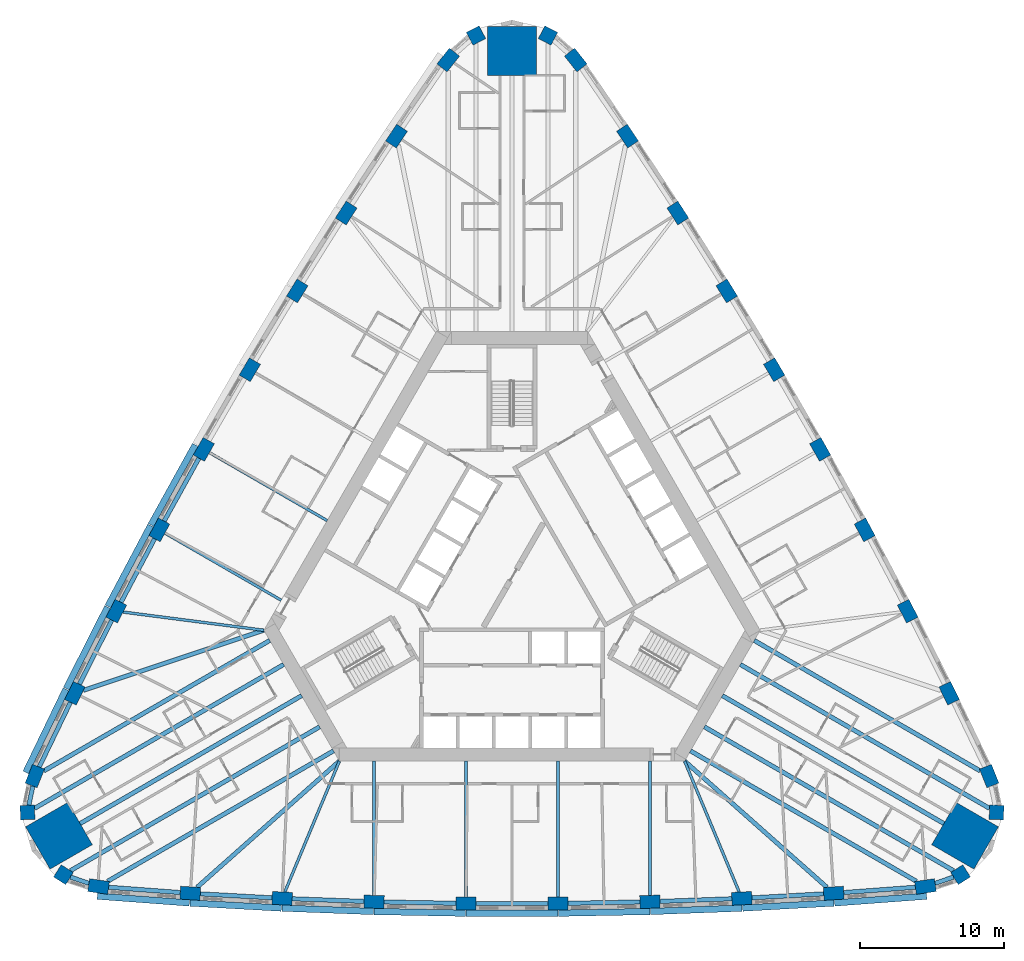
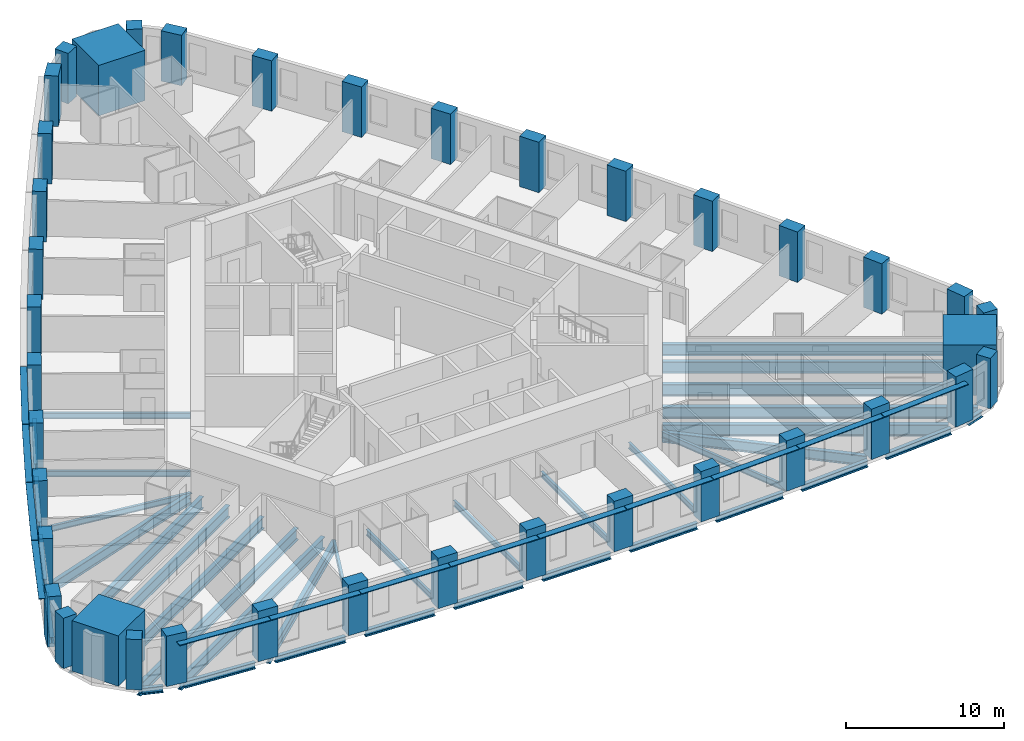
# One storey, part 1 of 13: 39 columns, 38 beams, 13 members.
"""IFC4 building model written with IfcOpenShell, lengths in metres."""

from ifc_helpers import new_model, si_unit, direction, frame, origin, origin_2d, place, context, subcontext, project, spatial, rectangle, i_section, extrude, material, material_profile, profile_set, type_object, element, save


model = new_model("IFC4")

# Units and contexts
model_context = context("Model", 3, precision=1e-05, world=origin(), true_north=direction((0.0, 1.0)))
body_context = subcontext(model_context, "Body", "Model", "MODEL_VIEW")
ifc_project = project(units=[si_unit("LENGTHUNIT", "METRE"), si_unit("AREAUNIT", "SQUARE_METRE"), si_unit("VOLUMEUNIT", "CUBIC_METRE"), si_unit("PLANEANGLEUNIT", "RADIAN"), si_unit("MASSUNIT", "GRAM", prefix="KILO")], contexts=[model_context])

# Site, building, storey
site_placement = place(None, origin())
site = spatial("IfcSite", under=ifc_project, at=site_placement, CompositionType="ELEMENT")
building_placement = place(site_placement, origin())
building = spatial("IfcBuilding", under=site, at=building_placement, Name="Mestral Congress Tower", CompositionType="ELEMENT")
storey_placement = place(building_placement, frame((0.0, 0.0, 35.39990234375)))
storey = spatial("IfcBuildingStorey", under=building, at=storey_placement, Name="L07", CompositionType="ELEMENT", Elevation=35.39990234375)

# Columns
ifc_material_1 = material(Name="Concrete C70/85", Category="concrete")
ifc_material_profile_1 = material_profile(ifc_material_1, rectangle(XDim=1.0, YDim=1.0, at=origin_2d()), Name="RC 1000x1000")
ifc_profile_set_1 = profile_set([ifc_material_profile_1], Name="Concrete C70/85")
column_type_1 = type_object("IfcColumnType", Name="Column RC 1000x1000 C70/85", PredefinedType="COLUMN", material=ifc_profile_set_1)
for number, where, z_axis, x_axis, name in (
    (1, (31.210205078125, -20.90966796875, 0.0), (0.0, 0.0, 1.0), (0.844485001826, 0.535579202071, 0.0), "COL-L07-C1-SE1"),
    (2, (33.71337890625, -16.573974609375, 0.0), (0.0, 0.0, 1.0), (0.041582693819, 0.999135065732, 0.0), "COL-L07-C1-SE3"),
    (3, (2.503173828125, 37.483642578125, 0.0), (0.0, 0.0, 1.0), (-0.886067695645, 0.463555863661, 0.0), "COL-L07-C1-N1"),
    (4, (-2.503173828125, 37.483642578125, 0.0), (0.0, 0.0, 1.0), (-0.886067695645, -0.463555863661, 0.0), "COL-L07-C1-N3"),
    (5, (-33.71337890625, -16.573974609375, 0.0), (0.0, 0.0, 1.0), (0.041582693819, -0.999135065732, 0.0), "COL-L07-C1-SW1"),
    (6, (-31.210205078125, -20.90966796875, 0.0), (0.0, 0.0, 1.0), (0.844485001826, -0.535579202071, 0.0), "COL-L07-C1-SW3"),
):
    element("IfcColumn", number, at=place(storey_placement, frame(where, z_axis=z_axis, x_axis=x_axis)), inside=storey, type_object=column_type_1, Name=name, PredefinedType="COLUMN", context=body_context, shape_type="SweptSolid", body=[
        extrude(rectangle(XDim=1.0, YDim=1.0, at=origin_2d()), origin(), (0.0, 0.0, 1.0), 3.900146484375),
    ])
ifc_material_profile_2 = material_profile(ifc_material_1, rectangle(XDim=1.39990234375, YDim=0.89990234375, at=origin_2d()), Name="RC 1400x900")
ifc_profile_set_2 = profile_set([ifc_material_profile_2], Name="Concrete C70/85")
column_type_2 = type_object("IfcColumnType", Name="Column RC 1400x900 C70/85", PredefinedType="COLUMN", material=ifc_profile_set_2)
for number, where, z_axis, x_axis, name in (
    (7, (-28.766845703125, -21.730712890625, 0.0), (0.0, 0.0, 1.0), (0.989423502484, -0.145055619443, 0.0), "COL-L07-C1-S00"),
    (8, (-22.384521484375, -22.20361328125, 0.0), (0.0, 0.0, 1.0), (0.997907501024, -0.064657709518, 0.0), "COL-L07-C1-S01"),
    (9, (-15.994384765625, -22.558349609375, 0.0), (0.0, 0.0, 1.0), (0.998932216029, -0.04619986774, 0.0), "COL-L07-C1-S02"),
    (10, (-9.598876953125, -22.794921875, 0.0), (0.0, 0.0, 1.0), (0.999615553977, -0.027726237529, 0.0), "COL-L07-C1-S03"),
    (11, (-3.199951171875, -22.9130859375, 0.0), (0.0, 0.0, 1.0), (0.999957281342, -0.009243132098, 0.0), "COL-L07-C1-S04"),
    (12, (3.199951171875, -22.9130859375, 0.0), (0.0, 0.0, 1.0), (0.999957281342, 0.009243132098, 0.0), "COL-L07-C1-S05"),
    (13, (9.598876953125, -22.794921875, 0.0), (0.0, 0.0, 1.0), (0.999615553977, 0.027726237529, 0.0), "COL-L07-C1-S06"),
    (14, (15.994384765625, -22.558349609375, 0.0), (0.0, 0.0, 1.0), (0.998932216029, 0.04619986774, 0.0), "COL-L07-C1-S07"),
    (15, (22.384521484375, -22.20361328125, 0.0), (0.0, 0.0, 1.0), (0.997907501024, 0.064657709518, 0.0), "COL-L07-C1-S08"),
    (16, (28.766845703125, -21.730712890625, 0.0), (0.0, 0.0, 1.0), (0.989423502484, 0.145055619443, 0.0), "COL-L07-C1-S09"),
    (17, (33.202880859375, -14.04736328125, 0.0), (0.0, 0.0, 1.0), (-0.369089899843, 0.929393697974, 0.0), "COL-L07-C1-E00"),
    (18, (30.421142578125, -8.28369140625, 0.0), (0.0, 0.0, 1.0), (-0.442958531519, 0.896542101273, 0.0), "COL-L07-C1-E01"),
    (19, (27.533203125, -2.572265625, 0.0), (0.0, 0.0, 1.0), (-0.4594558489, 0.88820060961, 0.0), "COL-L07-C1-E02"),
    (20, (24.540283203125, 3.084716796875, 0.0), (0.0, 0.0, 1.0), (-0.475796150937, 0.879555582526, 0.0), "COL-L07-C1-E03"),
    (21, (21.443359375, 8.685302734375, 0.0), (0.0, 0.0, 1.0), (-0.491973853463, 0.870609974391, 0.0), "COL-L07-C1-E04"),
    (22, (18.243408203125, 14.227783203125, 0.0), (0.0, 0.0, 1.0), (-0.507983427879, 0.861366842292, 0.0), "COL-L07-C1-E05"),
    (23, (14.941650390625, 19.710205078125, 0.0), (0.0, 0.0, 1.0), (-0.52381940304, 0.851829344998, 0.0), "COL-L07-C1-E06"),
    (24, (11.5390625, 25.130615234375, 0.0), (0.0, 0.0, 1.0), (-0.539476367129, 0.84200074187, 0.0), "COL-L07-C1-E07"),
    (25, (8.03662109375, 30.4873046875, 0.0), (0.0, 0.0, 1.0), (-0.554948969505, 0.831884391755, 0.0), "COL-L07-C1-E08"),
    (26, (4.43603515625, 35.7783203125, 0.0), (0.0, 0.0, 1.0), (-0.620333602641, 0.784338078531, 0.0), "COL-L07-C1-E09"),
    (27, (-4.43603515625, 35.7783203125, 0.0), (0.0, 0.0, 1.0), (-0.620333602641, -0.784338078531, 0.0), "COL-L07-C1-W00"),
    (28, (-8.03662109375, 30.4873046875, 0.0), (0.0, 0.0, 1.0), (-0.554948969505, -0.831884391755, 0.0), "COL-L07-C1-W01"),
    (29, (-11.5390625, 25.130615234375, 0.0), (0.0, 0.0, 1.0), (-0.539476367129, -0.84200074187, 0.0), "COL-L07-C1-W02"),
    (30, (-14.941650390625, 19.710205078125, 0.0), (0.0, 0.0, 1.0), (-0.52381940304, -0.851829344998, 0.0), "COL-L07-C1-W03"),
    (31, (-18.243408203125, 14.227783203125, 0.0), (0.0, 0.0, 1.0), (-0.507983427879, -0.861366842292, 0.0), "COL-L07-C1-W04"),
    (32, (-21.443359375, 8.685302734375, 0.0), (0.0, 0.0, 1.0), (-0.491973853463, -0.870609974391, 0.0), "COL-L07-C1-W05"),
    (33, (-24.540283203125, 3.084716796875, 0.0), (0.0, 0.0, 1.0), (-0.475796150937, -0.879555582526, 0.0), "COL-L07-C1-W06"),
    (34, (-27.533203125, -2.572265625, 0.0), (0.0, 0.0, 1.0), (-0.4594558489, -0.88820060961, 0.0), "COL-L07-C1-W07"),
    (35, (-30.421142578125, -8.28369140625, 0.0), (0.0, 0.0, 1.0), (-0.442958531519, -0.896542101273, 0.0), "COL-L07-C1-W08"),
    (36, (-33.202880859375, -14.04736328125, 0.0), (0.0, 0.0, 1.0), (-0.369089899843, -0.929393697974, 0.0), "COL-L07-C1-W09"),
):
    element("IfcColumn", number, at=place(storey_placement, frame(where, z_axis=z_axis, x_axis=x_axis)), inside=storey, type_object=column_type_2, Name=name, PredefinedType="COLUMN", context=body_context, shape_type="SweptSolid", body=[
        extrude(rectangle(XDim=1.39990234375, YDim=0.89990234375, at=origin_2d()), origin(), (0.0, 0.0, 1.0), 3.900146484375),
    ])
ifc_material_2 = material(Name="Concrete C80/95", Category="concrete")
ifc_material_profile_3 = material_profile(ifc_material_2, rectangle(XDim=3.39990234375, YDim=3.39990234375, at=origin_2d()), Name="RC 3400x3400")
ifc_profile_set_3 = profile_set([ifc_material_profile_3], Name="Concrete C80/95")
column_type_3 = type_object("IfcColumnType", Name="Mega column RC 3400x3400 C80/95", PredefinedType="COLUMN", material=ifc_profile_set_3)
for number, where, z_axis, x_axis, name in (
    (37, (31.5224609375, -18.199462890625, 0.0), (0.0, 0.0, 1.0), (0.866025403784, -0.5, 0.0), "COL-L07-PY1-SE"),
    (38, (0.0, 36.39892578125, 0.0), (0.0, 0.0, 1.0), (0.0, 1.0, 0.0), "COL-L07-PY1-N"),
    (39, (-31.5224609375, -18.199462890625, 0.0), (0.0, 0.0, 1.0), (-0.866025403784, -0.5, 0.0), "COL-L07-PY1-SW"),
):
    element("IfcColumn", number, at=place(storey_placement, frame(where, z_axis=z_axis, x_axis=x_axis)), inside=storey, type_object=column_type_3, Name=name, PredefinedType="COLUMN", context=body_context, shape_type="SweptSolid", body=[
        extrude(rectangle(XDim=3.39990234375, YDim=3.39990234375, at=origin_2d()), origin(), (0.0, 0.0, 1.0), 3.900146484375),
    ])

# Members
ifc_material_3 = material(Name="Glazed ceramic", Category="masonry")
ifc_material_profile_4 = material_profile(ifc_material_3, rectangle(XDim=0.449951171875, YDim=0.06005859375, at=origin_2d()), Name="Ceramic blade 450 x 60")
ifc_profile_set_4 = profile_set([ifc_material_profile_4], Name="Glazed ceramic")
member_type = type_object("IfcMemberType", Name="Facade sunshade blade 450 x 60", PredefinedType="USERDEFINED", material=ifc_profile_set_4)
member_1_placement = place(storey_placement, frame((-28.853271484375, -22.4013671875, 3.280029296875), z_axis=(0.997269829073, -0.073843672858, 0.0), x_axis=(0.073843672858, 0.997269829073, 0.0)))
element("IfcMember", 40, at=member_1_placement, inside=storey, type_object=member_type, Name="Sunshade F0-00", ObjectType="SUNSHADE", PredefinedType="USERDEFINED", context=body_context, shape_type="SweptSolid", body=[
    extrude(rectangle(XDim=0.449951171875, YDim=0.06005859375, at=origin_2d()), origin(), (0.0, 0.0, 1.0), 6.420654296875),
])
member_2_placement = place(storey_placement, frame((-22.406005859375, -22.87841796875, 3.280029296875), z_axis=(0.998462240013, -0.055436046654, 0.0), x_axis=(0.055436046654, 0.998462240013, 0.0)))
element("IfcMember", 41, at=member_2_placement, inside=storey, type_object=member_type, Name="Sunshade F0-01", ObjectType="SUNSHADE", PredefinedType="USERDEFINED", context=body_context, shape_type="SweptSolid", body=[
    extrude(rectangle(XDim=0.449951171875, YDim=0.06005859375, at=origin_2d()), origin(), (0.0, 0.0, 1.0), 6.3681640625),
])
member_3_placement = place(storey_placement, frame((-16.00341796875, -23.2333984375, 3.280029296875), z_axis=(0.99931546381, -0.036994645436, 0.0), x_axis=(0.036994645436, 0.99931546381, 0.0)))
element("IfcMember", 42, at=member_3_placement, inside=storey, type_object=member_type, Name="Sunshade F0-02", ObjectType="SUNSHADE", PredefinedType="USERDEFINED", context=body_context, shape_type="SweptSolid", body=[
    extrude(rectangle(XDim=0.449951171875, YDim=0.06005859375, at=origin_2d()), origin(), (0.0, 0.0, 1.0), 6.368408203125),
])
for number, where, z_axis, x_axis, name in (
    (43, (-9.595458984375, -23.47021484375, 3.280029296875), (0.99982925906, -0.018478439527, 0.0), (0.018478439527, 0.99982925906, 0.0), "Sunshade F0-03"),
    (44, (-3.18408203125, -23.588134765625, 3.280029296875), (1.0, 0.0, 0.0), (0.0, 1.0, 0.0), "Sunshade F0-04"),
    (45, (3.228271484375, -23.587890625, 3.280029296875), (0.99982925906, 0.018478439527, 0.0), (-0.018478439527, 0.99982925906, 0.0), "Sunshade F0-05"),
):
    element("IfcMember", number, at=place(storey_placement, frame(where, z_axis=z_axis, x_axis=x_axis)), inside=storey, type_object=member_type, Name=name, ObjectType="SUNSHADE", PredefinedType="USERDEFINED", context=body_context, shape_type="SweptSolid", body=[
        extrude(rectangle(XDim=0.449951171875, YDim=0.06005859375, at=origin_2d()), origin(), (0.0, 0.0, 1.0), 6.3681640625),
    ])
member_4_placement = place(storey_placement, frame((9.639404296875, -23.468994140625, 3.280029296875), z_axis=(0.99931546381, 0.036994645436, 0.0), x_axis=(-0.036994645436, 0.99931546381, 0.0)))
element("IfcMember", 46, at=member_4_placement, inside=storey, type_object=member_type, Name="Sunshade F0-06", ObjectType="SUNSHADE", PredefinedType="USERDEFINED", context=body_context, shape_type="SweptSolid", body=[
    extrude(rectangle(XDim=0.449951171875, YDim=0.06005859375, at=origin_2d()), origin(), (0.0, 0.0, 1.0), 6.368408203125),
])
member_5_placement = place(storey_placement, frame((16.047607421875, -23.2314453125, 3.280029296875), z_axis=(0.998462240013, 0.055436046654, 0.0), x_axis=(-0.055436046654, 0.998462240013, 0.0)))
element("IfcMember", 47, at=member_5_placement, inside=storey, type_object=member_type, Name="Sunshade F0-07", ObjectType="SUNSHADE", PredefinedType="USERDEFINED", context=body_context, shape_type="SweptSolid", body=[
    extrude(rectangle(XDim=0.449951171875, YDim=0.06005859375, at=origin_2d()), origin(), (0.0, 0.0, 1.0), 6.3681640625),
])
member_6_placement = place(storey_placement, frame((22.4501953125, -22.87548828125, 3.280029296875), z_axis=(0.997269829073, 0.073843672858, 0.0), x_axis=(-0.073843672858, 0.997269829073, 0.0)))
element("IfcMember", 48, at=member_6_placement, inside=storey, type_object=member_type, Name="Sunshade F0-08", ObjectType="SUNSHADE", PredefinedType="USERDEFINED", context=body_context, shape_type="SweptSolid", body=[
    extrude(rectangle(XDim=0.449951171875, YDim=0.06005859375, at=origin_2d()), origin(), (0.0, 0.0, 1.0), 6.420654296875),
])
for number, where, z_axis, x_axis, name in (
    (49, (-22.041748046875, 8.998291015625, 3.280029296875), (-0.483893994258, -0.875126620736, 0.0), (0.875126620736, -0.483893994258, 0.0), "Sunshade F2-05"),
    (50, (-25.144287109375, 3.38623046875, 3.280029296875), (-0.467674573128, -0.883900726128, 0.0), (0.883900726128, -0.467674573128, 0.0), "Sunshade F2-06"),
    (51, (-28.142822265625, -2.28173828125, 3.280029296875), (-0.451226804026, -0.892409307061, 0.0), (0.892409307061, -0.451226804026, 0.0), "Sunshade F2-07"),
):
    element("IfcMember", number, at=place(storey_placement, frame(where, z_axis=z_axis, x_axis=x_axis)), inside=storey, type_object=member_type, Name=name, ObjectType="SUNSHADE", PredefinedType="USERDEFINED", context=body_context, shape_type="SweptSolid", body=[
        extrude(rectangle(XDim=0.449951171875, YDim=0.06005859375, at=origin_2d()), origin(), (0.0, 0.0, 1.0), 6.3681640625),
    ])
member_7_placement = place(storey_placement, frame((-31.035888671875, -8.00439453125, 3.280029296875), z_axis=(-0.434637414368, -0.900605528537, 0.0), x_axis=(0.900605528537, -0.434637414368, 0.0)))
element("IfcMember", 52, at=member_7_placement, inside=storey, type_object=member_type, Name="Sunshade F2-08", ObjectType="SUNSHADE", PredefinedType="USERDEFINED", context=body_context, shape_type="SweptSolid", body=[
    extrude(rectangle(XDim=0.449951171875, YDim=0.06005859375, at=origin_2d()), origin(), (0.0, 0.0, 1.0), 6.4208984375),
])

# Beams
ifc_material_4 = material(Name="Steel S355", Category="steel")
ifc_material_profile_5 = material_profile(ifc_material_4, i_section(OverallWidth=0.300048828125, OverallDepth=0.800048828125, WebThickness=0.017578125, FlangeThickness=0.032958984375, FilletRadius=0.030029296875, at=origin_2d()), Name="HEB 800")
ifc_profile_set_5 = profile_set([ifc_material_profile_5], Name="Steel S355")
beam_type_1 = type_object("IfcBeamType", Name="Floor beam HEB 800 S355", PredefinedType="BEAM", material=ifc_profile_set_5)
for number, where, z_axis, x_axis, name in (
    (53, (-21.91064453125, -21.783447265625, -0.64990234375), (0.748091770025, 0.663595286015, 0.0), (-0.663595286015, 0.748091770025, 0.0), "BM-L07-RB1-S01"),
    (54, (21.91064453125, -21.783447265625, -0.64990234375), (-0.748091770025, 0.663595286015, 0.0), (-0.663595286015, -0.748091770025, 0.0), "BM-L07-RB1-S08"),
    (55, (-29.8203125, -8.08349609375, -0.64990234375), (0.948734931285, 0.316072824141, 0.0), (-0.316072824141, 0.948734931285, 0.0), "BM-L07-RB1-W08"),
):
    element("IfcBeam", number, at=place(storey_placement, frame(where, z_axis=z_axis, x_axis=x_axis)), inside=storey, type_object=beam_type_1, Name=name, PredefinedType="BEAM", context=body_context, shape_type="SweptSolid", body=[
        extrude(i_section(OverallWidth=0.300048828125, OverallDepth=0.800048828125, WebThickness=0.017578125, FlangeThickness=0.032958984375, FilletRadius=0.030029296875, at=origin_2d()), origin(), (0.0, 0.0, 1.0), 13.236083984375),
    ])
ifc_material_profile_6 = material_profile(ifc_material_4, i_section(OverallWidth=0.300048828125, OverallDepth=0.89990234375, WebThickness=0.0185546875, FlangeThickness=0.034912109375, FilletRadius=0.030029296875, at=origin_2d()), Name="HEB 900")
ifc_profile_set_6 = profile_set([ifc_material_profile_6], Name="Steel S355")
beam_type_2 = type_object("IfcBeamType", Name="Floor beam HEB 900 S355", PredefinedType="BEAM", material=ifc_profile_set_6)
for number, where, z_axis, x_axis, name in (
    (56, (-28.138671875, -21.3681640625, -0.699951171875), (0.866027243369, 0.499996813733, 0.0), (-0.499996813733, 0.866027243369, 0.0), "BM-L07-RB1-S00"),
    (57, (28.138671875, -21.3681640625, -0.699951171875), (-0.866027243369, 0.499996813733, 0.0), (-0.499996813733, -0.866027243369, 0.0), "BM-L07-RB1-S09"),
):
    element("IfcBeam", number, at=place(storey_placement, frame(where, z_axis=z_axis, x_axis=x_axis)), inside=storey, type_object=beam_type_2, Name=name, PredefinedType="BEAM", context=body_context, shape_type="SweptSolid", body=[
        extrude(i_section(OverallWidth=0.300048828125, OverallDepth=0.89990234375, WebThickness=0.0185546875, FlangeThickness=0.034912109375, FilletRadius=0.030029296875, at=origin_2d()), origin(), (0.0, 0.0, 1.0), 18.15283203125),
    ])
beam_1_placement = place(storey_placement, frame((30.721435546875, -20.62744140625, -0.699951171875), z_axis=(-0.866027382289, 0.499996573113, 0.0), x_axis=(-0.499996573113, -0.866027382289, 0.0)))
element("IfcBeam", 58, at=beam_1_placement, inside=storey, type_object=beam_type_2, Name="BM-L07-RB1-SE1", PredefinedType="BEAM", context=body_context, shape_type="SweptSolid", body=[
    extrude(i_section(OverallWidth=0.300048828125, OverallDepth=0.89990234375, WebThickness=0.0185546875, FlangeThickness=0.034912109375, FilletRadius=0.030029296875, at=origin_2d()), origin(), (0.0, 0.0, 1.0), 20.019287109375),
])
beam_2_placement = place(storey_placement, frame((30.050048828125, -17.349609375, -0.699951171875), z_axis=(-0.866020438056, 0.500008600796, 0.0), x_axis=(-0.500008600796, -0.866020438056, 0.0)))
element("IfcBeam", 59, at=beam_2_placement, inside=storey, type_object=beam_type_2, Name="BM-L07-RB1-SE", PredefinedType="BEAM", context=body_context, shape_type="SweptSolid", body=[
    extrude(i_section(OverallWidth=0.300048828125, OverallDepth=0.89990234375, WebThickness=0.0185546875, FlangeThickness=0.034912109375, FilletRadius=0.030029296875, at=origin_2d()), origin(), (0.0, 0.0, 1.0), 17.799072265625),
])
beam_3_placement = place(storey_placement, frame((33.224609375, -16.291748046875, -0.699951171875), z_axis=(-0.866027382289, 0.499996573113, 0.0), x_axis=(-0.499996573113, -0.866027382289, 0.0)))
element("IfcBeam", 60, at=beam_3_placement, inside=storey, type_object=beam_type_2, Name="BM-L07-RB1-SE3", PredefinedType="BEAM", context=body_context, shape_type="SweptSolid", body=[
    extrude(i_section(OverallWidth=0.300048828125, OverallDepth=0.89990234375, WebThickness=0.0185546875, FlangeThickness=0.034912109375, FilletRadius=0.030029296875, at=origin_2d()), origin(), (0.0, 0.0, 1.0), 20.019287109375),
])
for number, where, z_axis, x_axis, name in (
    (61, (32.574462890625, -13.6845703125, -0.699951171875), (-0.866029704776, 0.49999255039, 0.0), (-0.49999255039, -0.866029704776, 0.0), "BM-L07-RB1-E00"),
    (62, (-32.574462890625, -13.6845703125, -0.699951171875), (0.866029704776, 0.49999255039, 0.0), (-0.49999255039, 0.866029704776, 0.0), "BM-L07-RB1-W09"),
):
    element("IfcBeam", number, at=place(storey_placement, frame(where, z_axis=z_axis, x_axis=x_axis)), inside=storey, type_object=beam_type_2, Name=name, PredefinedType="BEAM", context=body_context, shape_type="SweptSolid", body=[
        extrude(i_section(OverallWidth=0.300048828125, OverallDepth=0.89990234375, WebThickness=0.0185546875, FlangeThickness=0.034912109375, FilletRadius=0.030029296875, at=origin_2d()), origin(), (0.0, 0.0, 1.0), 18.152587890625),
    ])
beam_4_placement = place(storey_placement, frame((-33.224609375, -16.291748046875, -0.699951171875), z_axis=(0.866027382289, 0.499996573113, 0.0), x_axis=(-0.499996573113, 0.866027382289, 0.0)))
element("IfcBeam", 63, at=beam_4_placement, inside=storey, type_object=beam_type_2, Name="BM-L07-RB1-SW1", PredefinedType="BEAM", context=body_context, shape_type="SweptSolid", body=[
    extrude(i_section(OverallWidth=0.300048828125, OverallDepth=0.89990234375, WebThickness=0.0185546875, FlangeThickness=0.034912109375, FilletRadius=0.030029296875, at=origin_2d()), origin(), (0.0, 0.0, 1.0), 20.019287109375),
])
beam_5_placement = place(storey_placement, frame((-30.050048828125, -17.349609375, -0.699951171875), z_axis=(0.866020438056, 0.500008600796, 0.0), x_axis=(-0.500008600796, 0.866020438056, 0.0)))
element("IfcBeam", 64, at=beam_5_placement, inside=storey, type_object=beam_type_2, Name="BM-L07-RB1-SW", PredefinedType="BEAM", context=body_context, shape_type="SweptSolid", body=[
    extrude(i_section(OverallWidth=0.300048828125, OverallDepth=0.89990234375, WebThickness=0.0185546875, FlangeThickness=0.034912109375, FilletRadius=0.030029296875, at=origin_2d()), origin(), (0.0, 0.0, 1.0), 17.799072265625),
])
beam_6_placement = place(storey_placement, frame((-30.721435546875, -20.62744140625, -0.699951171875), z_axis=(0.866027382289, 0.499996573113, 0.0), x_axis=(-0.499996573113, 0.866027382289, 0.0)))
element("IfcBeam", 65, at=beam_6_placement, inside=storey, type_object=beam_type_2, Name="BM-L07-RB1-SW3", PredefinedType="BEAM", context=body_context, shape_type="SweptSolid", body=[
    extrude(i_section(OverallWidth=0.300048828125, OverallDepth=0.89990234375, WebThickness=0.0185546875, FlangeThickness=0.034912109375, FilletRadius=0.030029296875, at=origin_2d()), origin(), (0.0, 0.0, 1.0), 20.019287109375),
])
ifc_material_profile_7 = material_profile(ifc_material_4, i_section(OverallWidth=0.18994140625, OverallDepth=0.449951171875, WebThickness=0.009521484375, FlangeThickness=0.0146484375, FilletRadius=0.02099609375, at=origin_2d()), Name="IPE 450")
ifc_profile_set_7 = profile_set([ifc_material_profile_7], Name="Steel S355")
beam_type_3 = type_object("IfcBeamType", Name="Floor beam IPE 450 S355", PredefinedType="BEAM", material=ifc_profile_set_7)
beam_7_placement = place(storey_placement, frame((-15.81005859375, -22.116455078125, -0.474853515625), z_axis=(0.384852309441, 0.922978168711, 0.0), x_axis=(-0.922978168711, 0.384852309441, 0.0)))
element("IfcBeam", 66, at=beam_7_placement, inside=storey, type_object=beam_type_3, Name="BM-L07-RB1-S02", PredefinedType="BEAM", context=body_context, shape_type="SweptSolid", body=[
    extrude(i_section(OverallWidth=0.18994140625, OverallDepth=0.449951171875, WebThickness=0.009521484375, FlangeThickness=0.0146484375, FilletRadius=0.02099609375, at=origin_2d()), origin(), (0.0, 0.0, 1.0), 9.877197265625),
])
beam_8_placement = place(storey_placement, frame((-9.598876953125, -22.3447265625, -0.474853515625), z_axis=(0.0, 1.0, 0.0), x_axis=(-1.0, 0.0, 0.0)))
element("IfcBeam", 67, at=beam_8_placement, inside=storey, type_object=beam_type_3, Name="BM-L07-RB1-S03", PredefinedType="BEAM", context=body_context, shape_type="SweptSolid", body=[
    extrude(i_section(OverallWidth=0.18994140625, OverallDepth=0.449951171875, WebThickness=0.009521484375, FlangeThickness=0.0146484375, FilletRadius=0.02099609375, at=origin_2d()), origin(), (0.0, 0.0, 1.0), 9.3447265625),
])
for number, where, z_axis, x_axis, name in (
    (68, (-3.199951171875, -22.463134765625, -0.474853515625), (0.0, 1.0, 0.0), (-1.0, 0.0, 0.0), "BM-L07-RB1-S04"),
    (69, (3.199951171875, -22.463134765625, -0.474853515625), (0.0, 1.0, 0.0), (-1.0, 0.0, 0.0), "BM-L07-RB1-S05"),
):
    element("IfcBeam", number, at=place(storey_placement, frame(where, z_axis=z_axis, x_axis=x_axis)), inside=storey, type_object=beam_type_3, Name=name, PredefinedType="BEAM", context=body_context, shape_type="SweptSolid", body=[
        extrude(i_section(OverallWidth=0.18994140625, OverallDepth=0.449951171875, WebThickness=0.009521484375, FlangeThickness=0.0146484375, FilletRadius=0.02099609375, at=origin_2d()), origin(), (0.0, 0.0, 1.0), 9.463134765625),
    ])
beam_9_placement = place(storey_placement, frame((9.598876953125, -22.3447265625, -0.474853515625), z_axis=(0.0, 1.0, 0.0), x_axis=(-1.0, 0.0, 0.0)))
element("IfcBeam", 70, at=beam_9_placement, inside=storey, type_object=beam_type_3, Name="BM-L07-RB1-S06", PredefinedType="BEAM", context=body_context, shape_type="SweptSolid", body=[
    extrude(i_section(OverallWidth=0.18994140625, OverallDepth=0.449951171875, WebThickness=0.009521484375, FlangeThickness=0.0146484375, FilletRadius=0.02099609375, at=origin_2d()), origin(), (0.0, 0.0, 1.0), 9.3447265625),
])
beam_10_placement = place(storey_placement, frame((15.81005859375, -22.116455078125, -0.474853515625), z_axis=(-0.384852309441, 0.922978168711, 0.0), x_axis=(-0.922978168711, -0.384852309441, 0.0)))
element("IfcBeam", 71, at=beam_10_placement, inside=storey, type_object=beam_type_3, Name="BM-L07-RB1-S07", PredefinedType="BEAM", context=body_context, shape_type="SweptSolid", body=[
    extrude(i_section(OverallWidth=0.18994140625, OverallDepth=0.449951171875, WebThickness=0.009521484375, FlangeThickness=0.0146484375, FilletRadius=0.02099609375, at=origin_2d()), origin(), (0.0, 0.0, 1.0), 9.877197265625),
])
beam_11_placement = place(storey_placement, frame((-21.0537109375, 8.46044921875, -0.474853515625), z_axis=(0.866019749231, -0.500009793847, 0.0), x_axis=(0.500009793847, 0.866019749231, 0.0)))
element("IfcBeam", 72, at=beam_11_placement, inside=storey, type_object=beam_type_3, Name="BM-L07-RB1-W05", PredefinedType="BEAM", context=body_context, shape_type="SweptSolid", body=[
    extrude(i_section(OverallWidth=0.18994140625, OverallDepth=0.449951171875, WebThickness=0.009521484375, FlangeThickness=0.0146484375, FilletRadius=0.02099609375, at=origin_2d()), origin(), (0.0, 0.0, 1.0), 9.463134765625),
])
beam_12_placement = place(storey_placement, frame((-24.150634765625, 2.859619140625, -0.474853515625), z_axis=(0.866032011123, -0.499988555579, 0.0), x_axis=(0.499988555579, 0.866032011123, 0.0)))
element("IfcBeam", 73, at=beam_12_placement, inside=storey, type_object=beam_type_3, Name="BM-L07-RB1-W06", PredefinedType="BEAM", context=body_context, shape_type="SweptSolid", body=[
    extrude(i_section(OverallWidth=0.18994140625, OverallDepth=0.449951171875, WebThickness=0.009521484375, FlangeThickness=0.0146484375, FilletRadius=0.02099609375, at=origin_2d()), origin(), (0.0, 0.0, 1.0), 9.344970703125),
])
beam_13_placement = place(storey_placement, frame((-27.058349609375, -2.6337890625, -0.474853515625), z_axis=(0.99175011495, -0.128186229747, 0.0), x_axis=(0.128186229747, 0.99175011495, 0.0)))
element("IfcBeam", 74, at=beam_13_placement, inside=storey, type_object=beam_type_3, Name="BM-L07-RB1-W07", PredefinedType="BEAM", context=body_context, shape_type="SweptSolid", body=[
    extrude(i_section(OverallWidth=0.18994140625, OverallDepth=0.449951171875, WebThickness=0.009521484375, FlangeThickness=0.0146484375, FilletRadius=0.02099609375, at=origin_2d()), origin(), (0.0, 0.0, 1.0), 9.877197265625),
])
ifc_material_profile_8 = material_profile(ifc_material_4, i_section(OverallWidth=0.300048828125, OverallDepth=0.489990234375, WebThickness=0.011962890625, FlangeThickness=0.02294921875, FilletRadius=0.027099609375, at=origin_2d()), Name="HEA 500")
ifc_profile_set_8 = profile_set([ifc_material_profile_8], Name="Steel S355")
beam_type_4 = type_object("IfcBeamType", Name="Spandrel beam HEA 500 S355", PredefinedType="BEAM", material=ifc_profile_set_8)
beam_14_placement = place(storey_placement, frame((-28.06689453125, -21.78271484375, -0.494873046875), z_axis=(0.997268820599, -0.073857291181, 0.0), x_axis=(0.073857291181, 0.997268820599, 0.0)))
element("IfcBeam", 75, at=beam_14_placement, inside=storey, type_object=beam_type_4, Name="SP-L07-SB1-S00", PredefinedType="BEAM", context=body_context, shape_type="SweptSolid", body=[
    extrude(i_section(OverallWidth=0.300048828125, OverallDepth=0.489990234375, WebThickness=0.011962890625, FlangeThickness=0.02294921875, FilletRadius=0.027099609375, at=origin_2d()), origin(), (0.0, 0.0, 1.0), 4.998046875),
])
for number, where, z_axis, x_axis, name in (
    (76, (-21.685546875, -22.242431640625, -0.494873046875), (0.998463056415, -0.055421340426, 0.0), (0.055421340426, 0.998463056415, 0.0), "SP-L07-SB1-S01"),
    (77, (-15.294677734375, -22.584228515625, -0.494873046875), (0.999316571833, -0.036964702901, 0.0), (0.036964702901, 0.999316571833, 0.0), "SP-L07-SB1-S02"),
    (78, (-8.89892578125, -22.807861328125, -0.494873046875), (0.999829645984, -0.018457492, 0.0), (0.018457492, 0.999829645984, 0.0), "SP-L07-SB1-S03"),
):
    element("IfcBeam", number, at=place(storey_placement, frame(where, z_axis=z_axis, x_axis=x_axis)), inside=storey, type_object=beam_type_4, Name=name, PredefinedType="BEAM", context=body_context, shape_type="SweptSolid", body=[
        extrude(i_section(OverallWidth=0.300048828125, OverallDepth=0.489990234375, WebThickness=0.011962890625, FlangeThickness=0.02294921875, FilletRadius=0.027099609375, at=origin_2d()), origin(), (0.0, 0.0, 1.0), 4.999755859375),
    ])
beam_15_placement = place(storey_placement, frame((-2.5, -22.9130859375, -0.494873046875), z_axis=(1.0, 0.0, 0.0), x_axis=(0.0, 1.0, 0.0)))
element("IfcBeam", 79, at=beam_15_placement, inside=storey, type_object=beam_type_4, Name="SP-L07-SB1-S04", PredefinedType="BEAM", context=body_context, shape_type="SweptSolid", body=[
    extrude(i_section(OverallWidth=0.300048828125, OverallDepth=0.489990234375, WebThickness=0.011962890625, FlangeThickness=0.02294921875, FilletRadius=0.027099609375, at=origin_2d()), origin(), (0.0, 0.0, 1.0), 5.0),
])
for number, where, z_axis, x_axis, name in (
    (80, (3.89990234375, -22.900146484375, -0.494873046875), (0.999829645984, 0.018457492, 0.0), (-0.018457492, 0.999829645984, 0.0), "SP-L07-SB1-S05"),
    (81, (10.29833984375, -22.76904296875, -0.494873046875), (0.999316571833, 0.036964702901, 0.0), (-0.036964702901, 0.999316571833, 0.0), "SP-L07-SB1-S06"),
    (82, (16.693359375, -22.51953125, -0.494873046875), (0.998463056415, 0.055421340426, 0.0), (-0.055421340426, 0.998463056415, 0.0), "SP-L07-SB1-S07"),
):
    element("IfcBeam", number, at=place(storey_placement, frame(where, z_axis=z_axis, x_axis=x_axis)), inside=storey, type_object=beam_type_4, Name=name, PredefinedType="BEAM", context=body_context, shape_type="SweptSolid", body=[
        extrude(i_section(OverallWidth=0.300048828125, OverallDepth=0.489990234375, WebThickness=0.011962890625, FlangeThickness=0.02294921875, FilletRadius=0.027099609375, at=origin_2d()), origin(), (0.0, 0.0, 1.0), 4.999755859375),
    ])
beam_16_placement = place(storey_placement, frame((23.08251953125, -22.15185546875, -0.494873046875), z_axis=(0.997268820599, 0.073857291181, 0.0), x_axis=(-0.073857291181, 0.997268820599, 0.0)))
element("IfcBeam", 83, at=beam_16_placement, inside=storey, type_object=beam_type_4, Name="SP-L07-SB1-S08", PredefinedType="BEAM", context=body_context, shape_type="SweptSolid", body=[
    extrude(i_section(OverallWidth=0.300048828125, OverallDepth=0.489990234375, WebThickness=0.011962890625, FlangeThickness=0.02294921875, FilletRadius=0.027099609375, at=origin_2d()), origin(), (0.0, 0.0, 1.0), 4.998046875),
])
beam_17_placement = place(storey_placement, frame((29.441162109375, -21.504150390625, -0.494873046875), z_axis=(0.947921796083, 0.318503168762, 0.0), x_axis=(-0.318503168762, 0.947921796083, 0.0)))
element("IfcBeam", 84, at=beam_17_placement, inside=storey, type_object=beam_type_4, Name="SP-L07-SB1-S09", PredefinedType="BEAM", context=body_context, shape_type="SweptSolid", body=[
    extrude(i_section(OverallWidth=0.300048828125, OverallDepth=0.489990234375, WebThickness=0.011962890625, FlangeThickness=0.02294921875, FilletRadius=0.027099609375, at=origin_2d()), origin(), (0.0, 0.0, 1.0), 1.351318359375),
])
beam_18_placement = place(storey_placement, frame((-21.7822265625, 8.07275390625, -0.494873046875), z_axis=(-0.483900688062, -0.875122919419, 0.0), x_axis=(0.875122919419, -0.483900688062, 0.0)))
element("IfcBeam", 85, at=beam_18_placement, inside=storey, type_object=beam_type_4, Name="SP-L07-SB1-W05", PredefinedType="BEAM", context=body_context, shape_type="SweptSolid", body=[
    extrude(i_section(OverallWidth=0.300048828125, OverallDepth=0.489990234375, WebThickness=0.011962890625, FlangeThickness=0.02294921875, FilletRadius=0.027099609375, at=origin_2d()), origin(), (0.0, 0.0, 1.0), 4.999755859375),
])
beam_19_placement = place(storey_placement, frame((-24.86767578125, 2.4658203125, -0.494873046875), z_axis=(-0.467681307417, -0.883897162962, 0.0), x_axis=(0.883897162962, -0.467681307417, 0.0)))
element("IfcBeam", 86, at=beam_19_placement, inside=storey, type_object=beam_type_4, Name="SP-L07-SB1-W06", PredefinedType="BEAM", context=body_context, shape_type="SweptSolid", body=[
    extrude(i_section(OverallWidth=0.300048828125, OverallDepth=0.489990234375, WebThickness=0.011962890625, FlangeThickness=0.02294921875, FilletRadius=0.027099609375, at=origin_2d()), origin(), (0.0, 0.0, 1.0), 5.0),
])
beam_20_placement = place(storey_placement, frame((-27.84912109375, -3.197021484375, -0.494873046875), z_axis=(-0.45123261425, -0.892406369227, 0.0), x_axis=(0.892406369227, -0.45123261425, 0.0)))
element("IfcBeam", 87, at=beam_20_placement, inside=storey, type_object=beam_type_4, Name="SP-L07-SB1-W07", PredefinedType="BEAM", context=body_context, shape_type="SweptSolid", body=[
    extrude(i_section(OverallWidth=0.300048828125, OverallDepth=0.489990234375, WebThickness=0.011962890625, FlangeThickness=0.02294921875, FilletRadius=0.027099609375, at=origin_2d()), origin(), (0.0, 0.0, 1.0), 4.999755859375),
])
beam_21_placement = place(storey_placement, frame((-30.725341796875, -8.9140625, -0.494873046875), z_axis=(-0.434645244295, -0.900601749727, 0.0), x_axis=(0.900601749727, -0.434645244295, 0.0)))
element("IfcBeam", 88, at=beam_21_placement, inside=storey, type_object=beam_type_4, Name="SP-L07-SB1-W08", PredefinedType="BEAM", context=body_context, shape_type="SweptSolid", body=[
    extrude(i_section(OverallWidth=0.300048828125, OverallDepth=0.489990234375, WebThickness=0.011962890625, FlangeThickness=0.02294921875, FilletRadius=0.027099609375, at=origin_2d()), origin(), (0.0, 0.0, 1.0), 4.998046875),
])
beam_22_placement = place(storey_placement, frame((-33.34375, -14.74462890625, -0.494873046875), z_axis=(-0.197991750859, -0.980203686277, 0.0), x_axis=(0.980203686277, -0.197991750859, 0.0)))
element("IfcBeam", 89, at=beam_22_placement, inside=storey, type_object=beam_type_4, Name="SP-L07-SB1-W09", PredefinedType="BEAM", context=body_context, shape_type="SweptSolid", body=[
    extrude(i_section(OverallWidth=0.300048828125, OverallDepth=0.489990234375, WebThickness=0.011962890625, FlangeThickness=0.02294921875, FilletRadius=0.027099609375, at=origin_2d()), origin(), (0.0, 0.0, 1.0), 1.3515625),
])
beam_23_placement = place(storey_placement, frame((-30.72216796875, -21.07373046875, -0.494873046875), z_axis=(0.947921796083, -0.318503168762, 0.0), x_axis=(0.318503168762, 0.947921796083, 0.0)))
element("IfcBeam", 90, at=beam_23_placement, inside=storey, type_object=beam_type_4, Name="SP-L07-SB1-SW3", PredefinedType="BEAM", context=body_context, shape_type="SweptSolid", body=[
    extrude(i_section(OverallWidth=0.300048828125, OverallDepth=0.489990234375, WebThickness=0.011962890625, FlangeThickness=0.02294921875, FilletRadius=0.027099609375, at=origin_2d()), origin(), (0.0, 0.0, 1.0), 1.351318359375),
])

save(model, "model.ifc")
